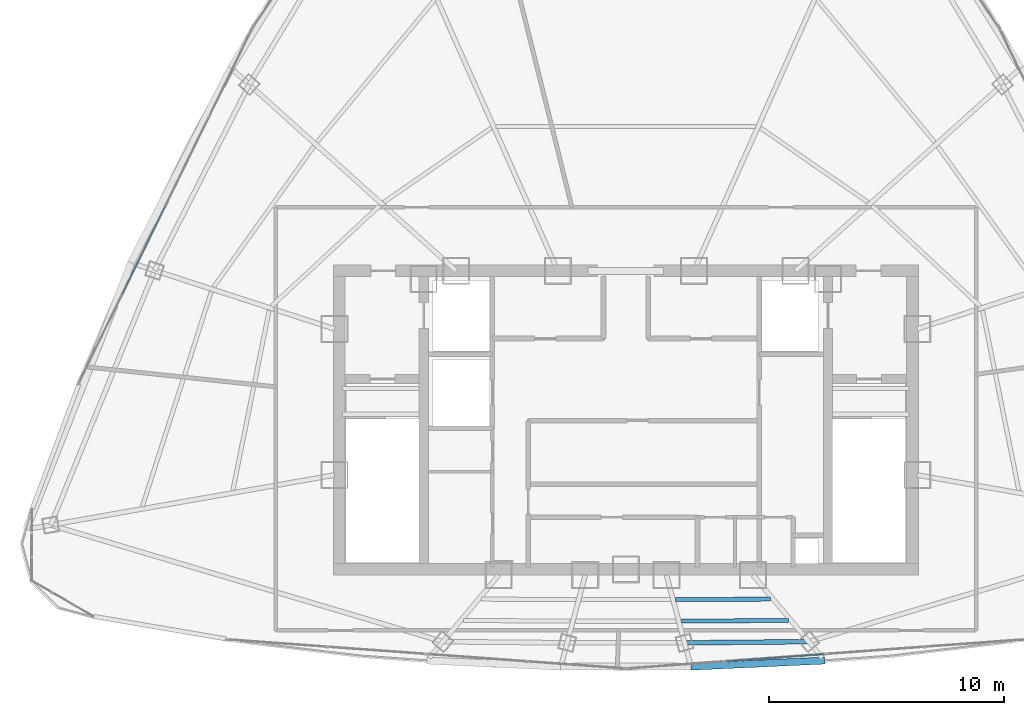
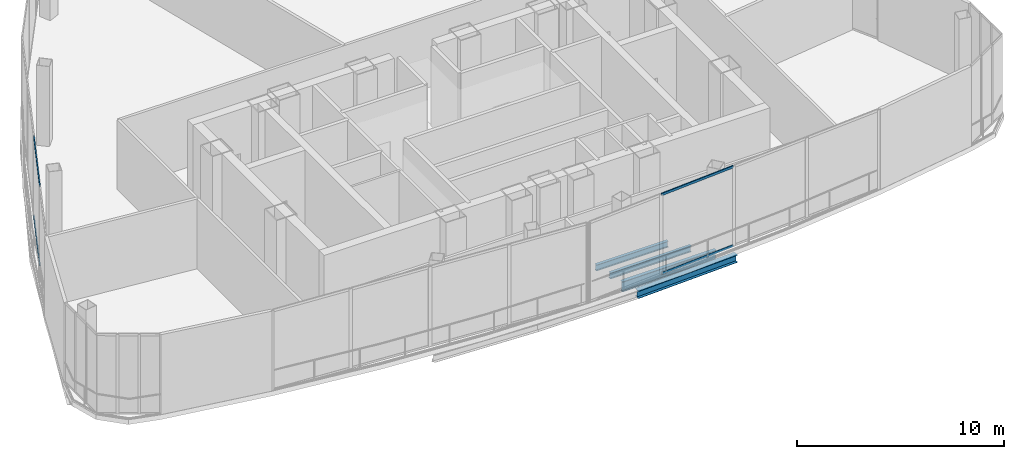
# One storey, part 9 of 32: 4 beams, 4 members, 2 elements without a shape of their own.
"""IFC4 building model written with IfcOpenShell, lengths in metres."""

from ifc_helpers import new_model, si_unit, direction, frame, origin, origin_2d, place, context, subcontext, project, spatial, hollow_rectangle, i_section, extrude, source, transform, mapped, material, layer, layer_set, material_profile, profile_set, type_object, element, aggregate, save


model = new_model("IFC4")

# Units and contexts
model_context = context("Model", 3, precision=1e-05, world=origin(), true_north=direction((0.0, 1.0)))
body_context = subcontext(model_context, "Body", "Model", "MODEL_VIEW")
ifc_project = project(units=[si_unit("LENGTHUNIT", "METRE"), si_unit("AREAUNIT", "SQUARE_METRE"), si_unit("VOLUMEUNIT", "CUBIC_METRE"), si_unit("PLANEANGLEUNIT", "RADIAN"), si_unit("MASSUNIT", "GRAM", prefix="KILO"), si_unit("THERMODYNAMICTEMPERATUREUNIT", "KELVIN"), si_unit("POWERUNIT", "WATT")], contexts=[model_context])

# Site, building, storey
site_placement = place(None, origin())
site = spatial("IfcSite", under=ifc_project, at=site_placement, CompositionType="ELEMENT")
building_placement = place(site_placement, origin())
building = spatial("IfcBuilding", under=site, at=building_placement, Name="Yunzhuo Pagoda Commons", CompositionType="ELEMENT")
storey_placement = place(building_placement, frame((0.0, 0.0, 396.760009765625)))
storey = spatial("IfcBuildingStorey", under=building, at=storey_placement, Name="L98", CompositionType="ELEMENT", Elevation=396.760009765625)

# Beams
ifc_material_1 = material(Name="Structural steel Q355B", Category="steel")
ifc_material_profile_1 = material_profile(ifc_material_1, i_section(OverallWidth=0.199951171875, OverallDepth=0.60009765625, WebThickness=0.010986328125, FlangeThickness=0.01708984375, at=origin_2d()), Name="Structural steel Q355B")
ifc_profile_set_1 = profile_set([ifc_material_profile_1], Name="Structural steel Q355B")
beam_type_1 = type_object("IfcBeamType", Name="B-RG3 Beam HN 600x200x11x17", PredefinedType="BEAM", material=ifc_profile_set_1)
shared_shape_1 = source(origin(), body_context, "Body", "SweptSolid", [
    extrude(i_section(OverallWidth=0.199951171875, OverallDepth=0.60009765625, WebThickness=0.010986328125, FlangeThickness=0.01708984375, at=origin_2d()), origin(), (0.0, 0.0, 1.0), 5.286376953125),
])
beam_1_placement = place(storey_placement, frame((50.499267578125, 24.372802734375, -0.580078125), z_axis=(0.999957341442, 0.009236627946, 0.0), x_axis=(-0.009236627946, 0.999957341442, 0.0)))
element("IfcBeam", 1, at=beam_1_placement, inside=storey, type_object=beam_type_1, Name="L98 column-ring beam 3", PredefinedType="BEAM", context=body_context, shape_type="MappedRepresentation", body=[
    mapped(shared_shape_1, transform((0.0, 0.0, 0.0), scale=1.0)),
])
ifc_material_profile_2 = material_profile(ifc_material_1, i_section(OverallWidth=0.175048828125, OverallDepth=0.35009765625, WebThickness=0.007080078125, FlangeThickness=0.010986328125, at=origin_2d()), Name="Structural steel Q355B")
ifc_profile_set_2 = profile_set([ifc_material_profile_2], Name="Structural steel Q355B")
beam_type_2 = type_object("IfcBeamType", Name="B-JS2 Joist HN 350x175x7x11", PredefinedType="JOIST", material=ifc_profile_set_2)
shared_shape_2 = source(origin(), body_context, "Body", "SweptSolid", [
    extrude(i_section(OverallWidth=0.175048828125, OverallDepth=0.35009765625, WebThickness=0.007080078125, FlangeThickness=0.010986328125, at=origin_2d()), origin(), (0.0, 0.0, 1.0), 4.03076171875),
])
beam_2_placement = place(storey_placement, frame((50.120849609375, 26.214599609375, -0.455078125), z_axis=(0.999991518197, 0.004118680996, 0.0), x_axis=(-0.004118680996, 0.999991518197, 0.0)))
element("IfcBeam", 2, at=beam_2_placement, inside=storey, type_object=beam_type_2, Name="L98 composite ring joist 1.3", PredefinedType="JOIST", context=body_context, shape_type="MappedRepresentation", body=[
    mapped(shared_shape_2, transform((0.0, 0.0, 0.0), scale=1.0)),
])
shared_shape_3 = source(origin(), body_context, "Body", "SweptSolid", [
    extrude(i_section(OverallWidth=0.175048828125, OverallDepth=0.35009765625, WebThickness=0.007080078125, FlangeThickness=0.010986328125, at=origin_2d()), origin(), (0.0, 0.0, 1.0), 4.54345703125),
])
beam_3_placement = place(storey_placement, frame((50.367431640625, 25.29443359375, -0.455078125), z_axis=(0.999975976237, 0.006931590593, 0.0), x_axis=(-0.006931590593, 0.999975976237, 0.0)))
element("IfcBeam", 3, at=beam_3_placement, inside=storey, type_object=beam_type_2, Name="L98 composite ring joist 2.3", PredefinedType="JOIST", context=body_context, shape_type="MappedRepresentation", body=[
    mapped(shared_shape_3, transform((0.0, 0.0, 0.0), scale=1.0)),
])
ifc_material_profile_3 = material_profile(ifc_material_1, i_section(OverallWidth=0.300048828125, OverallDepth=0.43994140625, WebThickness=0.010986328125, FlangeThickness=0.01806640625, at=origin_2d()), Name="Structural steel Q355B")
ifc_profile_set_3 = profile_set([ifc_material_profile_3], Name="Structural steel Q355B")
beam_type_3 = type_object("IfcBeamType", Name="B-SP2 Beam HM 440x300x11x18", PredefinedType="BEAM", material=ifc_profile_set_3)
shared_shape_4 = source(origin(), body_context, "Body", "SweptSolid", [
    extrude(i_section(OverallWidth=0.300048828125, OverallDepth=0.43994140625, WebThickness=0.010986328125, FlangeThickness=0.01806640625, at=origin_2d()), origin(), (0.0, 0.0, 1.0), 5.6953125),
])
beam_4_placement = place(storey_placement, frame((50.77099609375, 23.358642578125, -0.5), z_axis=(0.998967125564, 0.045438772447, 0.0), x_axis=(-0.045438772447, 0.998967125564, 0.0)))
element("IfcBeam", 4, at=beam_4_placement, inside=storey, type_object=beam_type_3, Name="L98 facade edge spandrel beam F1.3", PredefinedType="BEAM", context=body_context, shape_type="MappedRepresentation", body=[
    mapped(shared_shape_4, transform((0.0, 0.0, 0.0), scale=1.0)),
])

# Curtain wall, members
ifc_material_2 = material(Name="Anodized aluminium 6063-T6", Category="aluminium")
ifc_layer = layer(ifc_material_2, 0.179931640625)
ifc_layer_set = layer_set([ifc_layer], Name="Anodized aluminium 6063-T6")
curtain_wall_type = type_object("IfcCurtainWallType", Name="CW-CRN Crown Gable Glazing System", PredefinedType="NOTDEFINED", material=ifc_layer_set)
curtain_wall_1_placement = place(storey_placement, origin())
curtain_wall_1 = element("IfcCurtainWall", 5, at=curtain_wall_1_placement, inside=storey, type_object=curtain_wall_type, Name="L98 curtain wall CW-L98-CRNF1G2", PredefinedType="NOTDEFINED")
ifc_material_profile_4 = material_profile(ifc_material_2, hollow_rectangle(XDim=0.06005859375, YDim=0.139892578125, WallThickness=0.00341796875, at=origin_2d()), Name="Anodized aluminium 6063-T6")
ifc_profile_set_4 = profile_set([ifc_material_profile_4], Name="Anodized aluminium 6063-T6")
member_type = type_object("IfcMemberType", Name="CW-CRN-T Transom RHS 140x60x3.5", PredefinedType="USERDEFINED", material=ifc_profile_set_4)
shared_shape_5 = source(origin(), body_context, "Body", "SweptSolid", [
    extrude(hollow_rectangle(XDim=0.06005859375, YDim=0.139892578125, WallThickness=0.00341796875, at=origin_2d()), origin(), (0.0, 0.0, 1.0), 4.192626953125),
])
member_1_placement = place(storey_placement, frame((52.272705078125, 23.586181640625, 0.030029296875), z_axis=(0.99734724805, 0.072790568113, 0.0), x_axis=(-0.072790568113, 0.99734724805, 0.0)))
member_1 = element("IfcMember", 6, at=member_1_placement, type_object=member_type, Name="CW transom 2.1", ObjectType="TRANSOM", PredefinedType="USERDEFINED", context=body_context, shape_type="MappedRepresentation", body=[
    mapped(shared_shape_5, transform((0.0, 0.0, 0.0), scale=1.0)),
])
member_2_placement = place(storey_placement, frame((52.272705078125, 23.586181640625, 4.68994140625), z_axis=(0.99734724805, 0.072790568113, 0.0), x_axis=(-0.072790568113, 0.99734724805, 0.0)))
member_2 = element("IfcMember", 7, at=member_2_placement, type_object=member_type, Name="CW transom 2.2", ObjectType="TRANSOM", PredefinedType="USERDEFINED", context=body_context, shape_type="MappedRepresentation", body=[
    mapped(shared_shape_5, transform((0.0, 0.0, 0.0), scale=1.0)),
])
aggregate(curtain_wall_1, [member_1, member_2])

curtain_wall_2_placement = place(storey_placement, origin())
curtain_wall_2 = element("IfcCurtainWall", 8, at=curtain_wall_2_placement, inside=storey, type_object=curtain_wall_type, Name="L98 curtain wall CW-L98-CRNF3G2", PredefinedType="NOTDEFINED")
shared_shape_6 = source(origin(), body_context, "Body", "SweptSolid", [
    extrude(hollow_rectangle(XDim=0.06005859375, YDim=0.139892578125, WallThickness=0.00341796875, at=origin_2d()), origin(), (0.0, 0.0, 1.0), 4.157470703125),
])
member_3_placement = place(storey_placement, frame((28.415283203125, 42.966552734375, 0.030029296875), z_axis=(-0.439374430699, -0.898304018497, 0.0), x_axis=(0.898304018497, -0.439374430699, 0.0)))
member_3 = element("IfcMember", 9, at=member_3_placement, type_object=member_type, Name="CW transom 3.1", ObjectType="TRANSOM", PredefinedType="USERDEFINED", context=body_context, shape_type="MappedRepresentation", body=[
    mapped(shared_shape_6, transform((0.0, 0.0, 0.0), scale=1.0)),
])
member_4_placement = place(storey_placement, frame((28.415283203125, 42.966552734375, 4.68994140625), z_axis=(-0.439374430699, -0.898304018497, 0.0), x_axis=(0.898304018497, -0.439374430699, 0.0)))
member_4 = element("IfcMember", 10, at=member_4_placement, type_object=member_type, Name="CW transom 3.2", ObjectType="TRANSOM", PredefinedType="USERDEFINED", context=body_context, shape_type="MappedRepresentation", body=[
    mapped(shared_shape_6, transform((0.0, 0.0, 0.0), scale=1.0)),
])
aggregate(curtain_wall_2, [member_3, member_4])

save(model, "model.ifc")
